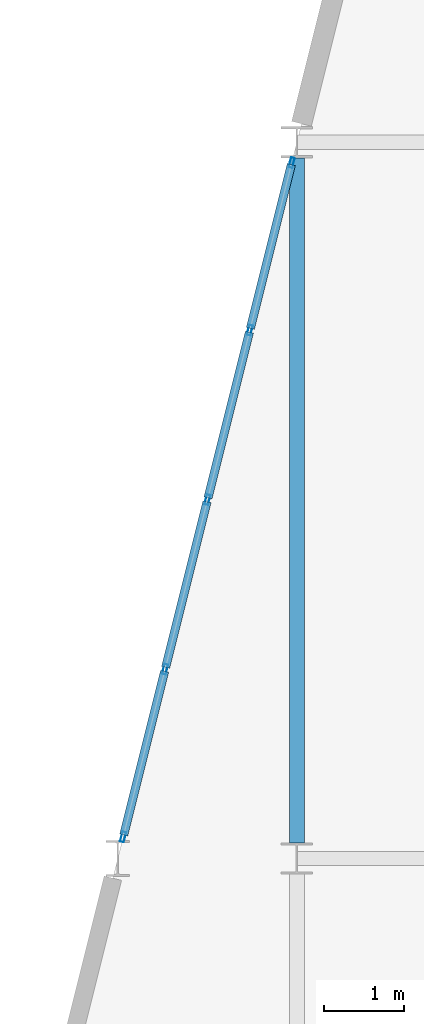
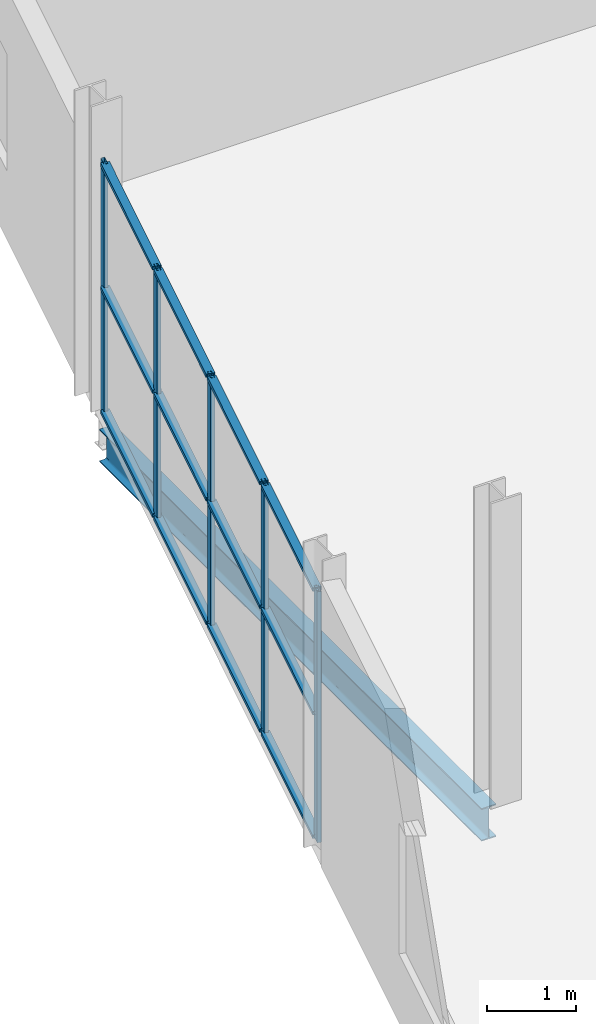
# One storey, part 17 of 103: 17 members, 1 beam, 1 element without a shape of its own.
"""IFC4 building model written with IfcOpenShell, lengths in metres."""

from ifc_helpers import new_model, si_unit, direction, frame, origin, origin_2d, place, context, subcontext, project, spatial, hollow_rectangle, i_section, extrude, material, layer, layer_set, material_profile, profile_set, type_object, element, aggregate, save


model = new_model("IFC4")

# Units and contexts
model_context = context("Model", 3, precision=1e-05, world=origin(), true_north=direction((0.0, 1.0)))
body_context = subcontext(model_context, "Body", "Model", "MODEL_VIEW")
ifc_project = project(units=[si_unit("LENGTHUNIT", "METRE"), si_unit("AREAUNIT", "SQUARE_METRE"), si_unit("VOLUMEUNIT", "CUBIC_METRE"), si_unit("PLANEANGLEUNIT", "RADIAN"), si_unit("MASSUNIT", "GRAM", prefix="KILO")], contexts=[model_context])

# Site, building, storey
site_placement = place(None, origin())
site = spatial("IfcSite", under=ifc_project, at=site_placement, CompositionType="ELEMENT")
building_placement = place(site_placement, origin())
building = spatial("IfcBuilding", under=site, at=building_placement, Name="Deido Ridge Mobility Hub", CompositionType="ELEMENT")
storey_placement = place(building_placement, frame((0.0, 0.0, 12.60009765625)))
storey = spatial("IfcBuildingStorey", under=building, at=storey_placement, Name="L03", CompositionType="ELEMENT", Elevation=12.60009765625)

# Beam
ifc_material_1 = material(Name="Steel S355J2 EN 10025-2", Category="steel")
ifc_material_profile_1 = material_profile(ifc_material_1, i_section(OverallWidth=0.18994140625, OverallDepth=0.449951171875, WebThickness=0.009521484375, FlangeThickness=0.0146484375, FilletRadius=0.02099609375, at=origin_2d()), Name="IPE 450")
ifc_profile_set_1 = profile_set([ifc_material_profile_1], Name="Steel S355J2 EN 10025-2")
beam_type = type_object("IfcBeamType", Name="BM-IPE450", PredefinedType="BEAM", material=ifc_profile_set_1)
beam_placement = place(storey_placement, frame((126.0, 9.196533203125, -0.489990234375), z_axis=(0.0, 1.0, 0.0), x_axis=(-1.0, 0.0, 0.0)))
element("IfcBeam", 1, at=beam_placement, inside=storey, type_object=beam_type, Name="Floor beam B4", PredefinedType="BEAM", context=body_context, shape_type="SweptSolid", body=[
    extrude(i_section(OverallWidth=0.18994140625, OverallDepth=0.449951171875, WebThickness=0.009521484375, FlangeThickness=0.0146484375, FilletRadius=0.02099609375, at=origin_2d()), origin(), (0.0, 0.0, 1.0), 8.60693359375),
])

# Curtain wall, members
ifc_material_2 = material(Name="Anodised aluminium EN AW-6063 T6", Category="aluminium")
ifc_layer = layer(ifc_material_2, 0.179931640625, Name="Anodised aluminium EN AW-6063 T6")
ifc_layer_set = layer_set([ifc_layer], Name="Anodised aluminium EN AW-6063 T6")
curtain_wall_type = type_object("IfcCurtainWallType", Name="CW-UF-2", PredefinedType="USERDEFINED", material=ifc_layer_set)
curtain_wall_placement = place(storey_placement, origin())
curtain_wall = element("IfcCurtainWall", 2, at=curtain_wall_placement, inside=storey, type_object=curtain_wall_type, Name="Unitised curtain wall CW2", ObjectType="UNITISED FACADE", PredefinedType="USERDEFINED")
ifc_material_profile_2 = material_profile(ifc_material_2, hollow_rectangle(XDim=0.050048828125, YDim=0.1298828125, WallThickness=0.00390625, at=origin_2d()), Name="RHS 50x130x4")
ifc_profile_set_2 = profile_set([ifc_material_profile_2], Name="Anodised aluminium EN AW-6063 T6")
member_type_1 = type_object("IfcMemberType", Name="MEM-MUL-50X130", PredefinedType="MULLION", material=ifc_profile_set_2)
member_1_placement = place(storey_placement, frame((123.81787109375, 9.271240234375, 0.0), z_axis=(0.0, 0.0, 1.0), x_axis=(-0.97014383958, 0.242530267235, 0.0)))
member_1 = element("IfcMember", 3, at=member_1_placement, type_object=member_type_1, Name="CW2 mullion 1", PredefinedType="MULLION", context=body_context, shape_type="SweptSolid", body=[
    extrude(hollow_rectangle(XDim=0.050048828125, YDim=0.1298828125, WallThickness=0.00390625, at=origin_2d()), origin(), (0.0, 0.0, 1.0), 3.449951171875),
])
member_2_placement = place(storey_placement, frame((124.34423828125, 11.37744140625, 0.0), z_axis=(0.0, 0.0, 1.0), x_axis=(-0.97014383958, 0.242530267235, 0.0)))
member_2 = element("IfcMember", 4, at=member_2_placement, type_object=member_type_1, Name="CW2 mullion 2", PredefinedType="MULLION", context=body_context, shape_type="SweptSolid", body=[
    extrude(hollow_rectangle(XDim=0.050048828125, YDim=0.1298828125, WallThickness=0.00390625, at=origin_2d()), origin(), (0.0, 0.0, 1.0), 3.449951171875),
])
member_3_placement = place(storey_placement, frame((124.876953125, 13.507568359375, 0.0), z_axis=(0.0, 0.0, 1.0), x_axis=(-0.97014383958, 0.242530267235, 0.0)))
member_3 = element("IfcMember", 5, at=member_3_placement, type_object=member_type_1, Name="CW2 mullion 3", PredefinedType="MULLION", context=body_context, shape_type="SweptSolid", body=[
    extrude(hollow_rectangle(XDim=0.050048828125, YDim=0.1298828125, WallThickness=0.00390625, at=origin_2d()), origin(), (0.0, 0.0, 1.0), 3.449951171875),
])
member_4_placement = place(storey_placement, frame((125.409423828125, 15.637939453125, 0.0), z_axis=(0.0, 0.0, 1.0), x_axis=(-0.97014383958, 0.242530267235, 0.0)))
member_4 = element("IfcMember", 6, at=member_4_placement, type_object=member_type_1, Name="CW2 mullion 4", PredefinedType="MULLION", context=body_context, shape_type="SweptSolid", body=[
    extrude(hollow_rectangle(XDim=0.050048828125, YDim=0.1298828125, WallThickness=0.00390625, at=origin_2d()), origin(), (0.0, 0.0, 1.0), 3.449951171875),
])
member_5_placement = place(storey_placement, frame((125.93603515625, 17.743896484375, 0.0), z_axis=(0.0, 0.0, 1.0), x_axis=(-0.97014383958, 0.242530267235, 0.0)))
member_5 = element("IfcMember", 7, at=member_5_placement, type_object=member_type_1, Name="CW2 mullion 5", PredefinedType="MULLION", context=body_context, shape_type="SweptSolid", body=[
    extrude(hollow_rectangle(XDim=0.050048828125, YDim=0.1298828125, WallThickness=0.00390625, at=origin_2d()), origin(), (0.0, 0.0, 1.0), 3.449951171875),
])
ifc_material_profile_3 = material_profile(ifc_material_2, hollow_rectangle(XDim=0.10498046875, YDim=0.050048828125, WallThickness=0.00390625, at=origin_2d()), Name="RHS 105x50x4")
ifc_profile_set_3 = profile_set([ifc_material_profile_3], Name="Anodised aluminium EN AW-6063 T6")
member_type_2 = type_object("IfcMemberType", Name="MEM-TRN-105X50", PredefinedType="USERDEFINED", material=ifc_profile_set_3)
member_6_placement = place(storey_placement, frame((123.823974609375, 9.295654296875, 0.02490234375), z_axis=(0.242562712545, 0.970135727866, 0.0), x_axis=(-0.970135727866, 0.242562712545, 0.0)))
member_6 = element("IfcMember", 8, at=member_6_placement, type_object=member_type_2, Name="CW2 transom 1.1", ObjectType="TRANSOM", PredefinedType="USERDEFINED", context=body_context, shape_type="SweptSolid", body=[
    extrude(hollow_rectangle(XDim=0.10498046875, YDim=0.050048828125, WallThickness=0.00390625, at=origin_2d()), origin(), (0.0, 0.0, 1.0), 2.12060546875),
])
member_7_placement = place(storey_placement, frame((123.823974609375, 9.295654296875, 1.724853515625), z_axis=(0.242562712545, 0.970135727866, 0.0), x_axis=(-0.970135727866, 0.242562712545, 0.0)))
member_7 = element("IfcMember", 9, at=member_7_placement, type_object=member_type_2, Name="CW2 transom 1.2", ObjectType="TRANSOM", PredefinedType="USERDEFINED", context=body_context, shape_type="SweptSolid", body=[
    extrude(hollow_rectangle(XDim=0.10498046875, YDim=0.050048828125, WallThickness=0.00390625, at=origin_2d()), origin(), (0.0, 0.0, 1.0), 2.12060546875),
])
member_8_placement = place(storey_placement, frame((123.823974609375, 9.295654296875, 3.4248046875), z_axis=(0.242562712545, 0.970135727866, 0.0), x_axis=(-0.970135727866, 0.242562712545, 0.0)))
member_8 = element("IfcMember", 10, at=member_8_placement, type_object=member_type_2, Name="CW2 transom 1.3", ObjectType="TRANSOM", PredefinedType="USERDEFINED", context=body_context, shape_type="SweptSolid", body=[
    extrude(hollow_rectangle(XDim=0.10498046875, YDim=0.050048828125, WallThickness=0.00390625, at=origin_2d()), origin(), (0.0, 0.0, 1.0), 2.12060546875),
])
member_9_placement = place(storey_placement, frame((124.350341796875, 11.401611328125, 0.02490234375), z_axis=(0.242562394881, 0.970135807292, 0.0), x_axis=(-0.970135807292, 0.242562394881, 0.0)))
member_9 = element("IfcMember", 11, at=member_9_placement, type_object=member_type_2, Name="CW2 transom 2.1", ObjectType="TRANSOM", PredefinedType="USERDEFINED", context=body_context, shape_type="SweptSolid", body=[
    extrude(hollow_rectangle(XDim=0.10498046875, YDim=0.050048828125, WallThickness=0.00390625, at=origin_2d()), origin(), (0.0, 0.0, 1.0), 2.145751953125),
])
member_10_placement = place(storey_placement, frame((124.350341796875, 11.401611328125, 1.724853515625), z_axis=(0.242562394881, 0.970135807292, 0.0), x_axis=(-0.970135807292, 0.242562394881, 0.0)))
member_10 = element("IfcMember", 12, at=member_10_placement, type_object=member_type_2, Name="CW2 transom 2.2", ObjectType="TRANSOM", PredefinedType="USERDEFINED", context=body_context, shape_type="SweptSolid", body=[
    extrude(hollow_rectangle(XDim=0.10498046875, YDim=0.050048828125, WallThickness=0.00390625, at=origin_2d()), origin(), (0.0, 0.0, 1.0), 2.145751953125),
])
member_11_placement = place(storey_placement, frame((124.350341796875, 11.401611328125, 3.4248046875), z_axis=(0.242562394881, 0.970135807292, 0.0), x_axis=(-0.970135807292, 0.242562394881, 0.0)))
member_11 = element("IfcMember", 13, at=member_11_placement, type_object=member_type_2, Name="CW2 transom 2.3", ObjectType="TRANSOM", PredefinedType="USERDEFINED", context=body_context, shape_type="SweptSolid", body=[
    extrude(hollow_rectangle(XDim=0.10498046875, YDim=0.050048828125, WallThickness=0.00390625, at=origin_2d()), origin(), (0.0, 0.0, 1.0), 2.145751953125),
])
member_12_placement = place(storey_placement, frame((124.883056640625, 13.53173828125, 0.02490234375), z_axis=(0.24245531218, 0.970162574827, 0.0), x_axis=(-0.970162574827, 0.24245531218, 0.0)))
member_12 = element("IfcMember", 14, at=member_12_placement, type_object=member_type_2, Name="CW2 transom 3.1", ObjectType="TRANSOM", PredefinedType="USERDEFINED", context=body_context, shape_type="SweptSolid", body=[
    extrude(hollow_rectangle(XDim=0.10498046875, YDim=0.050048828125, WallThickness=0.00390625, at=origin_2d()), origin(), (0.0, 0.0, 1.0), 2.145751953125),
])
member_13_placement = place(storey_placement, frame((124.883056640625, 13.53173828125, 1.724853515625), z_axis=(0.24245531218, 0.970162574827, 0.0), x_axis=(-0.970162574827, 0.24245531218, 0.0)))
member_13 = element("IfcMember", 15, at=member_13_placement, type_object=member_type_2, Name="CW2 transom 3.2", ObjectType="TRANSOM", PredefinedType="USERDEFINED", context=body_context, shape_type="SweptSolid", body=[
    extrude(hollow_rectangle(XDim=0.10498046875, YDim=0.050048828125, WallThickness=0.00390625, at=origin_2d()), origin(), (0.0, 0.0, 1.0), 2.145751953125),
])
member_14_placement = place(storey_placement, frame((124.883056640625, 13.53173828125, 3.4248046875), z_axis=(0.24245531218, 0.970162574827, 0.0), x_axis=(-0.970162574827, 0.24245531218, 0.0)))
member_14 = element("IfcMember", 16, at=member_14_placement, type_object=member_type_2, Name="CW2 transom 3.3", ObjectType="TRANSOM", PredefinedType="USERDEFINED", context=body_context, shape_type="SweptSolid", body=[
    extrude(hollow_rectangle(XDim=0.10498046875, YDim=0.050048828125, WallThickness=0.00390625, at=origin_2d()), origin(), (0.0, 0.0, 1.0), 2.145751953125),
])
member_15_placement = place(storey_placement, frame((125.41552734375, 15.662109375, 0.02490234375), z_axis=(0.242562712545, 0.970135727866, 0.0), x_axis=(-0.970135727866, 0.242562712545, 0.0)))
member_15 = element("IfcMember", 17, at=member_15_placement, type_object=member_type_2, Name="CW2 transom 4.1", ObjectType="TRANSOM", PredefinedType="USERDEFINED", context=body_context, shape_type="SweptSolid", body=[
    extrude(hollow_rectangle(XDim=0.10498046875, YDim=0.050048828125, WallThickness=0.00390625, at=origin_2d()), origin(), (0.0, 0.0, 1.0), 2.12060546875),
])
member_16_placement = place(storey_placement, frame((125.41552734375, 15.662109375, 1.724853515625), z_axis=(0.242562712545, 0.970135727866, 0.0), x_axis=(-0.970135727866, 0.242562712545, 0.0)))
member_16 = element("IfcMember", 18, at=member_16_placement, type_object=member_type_2, Name="CW2 transom 4.2", ObjectType="TRANSOM", PredefinedType="USERDEFINED", context=body_context, shape_type="SweptSolid", body=[
    extrude(hollow_rectangle(XDim=0.10498046875, YDim=0.050048828125, WallThickness=0.00390625, at=origin_2d()), origin(), (0.0, 0.0, 1.0), 2.12060546875),
])
member_17_placement = place(storey_placement, frame((125.41552734375, 15.662109375, 3.4248046875), z_axis=(0.242562712545, 0.970135727866, 0.0), x_axis=(-0.970135727866, 0.242562712545, 0.0)))
member_17 = element("IfcMember", 19, at=member_17_placement, type_object=member_type_2, Name="CW2 transom 4.3", ObjectType="TRANSOM", PredefinedType="USERDEFINED", context=body_context, shape_type="SweptSolid", body=[
    extrude(hollow_rectangle(XDim=0.10498046875, YDim=0.050048828125, WallThickness=0.00390625, at=origin_2d()), origin(), (0.0, 0.0, 1.0), 2.12060546875),
])
aggregate(curtain_wall, [member_1, member_2, member_3, member_4, member_5, member_6, member_7, member_8, member_9, member_10, member_11, member_12, member_13, member_14, member_15, member_16, member_17])

save(model, "model.ifc")
